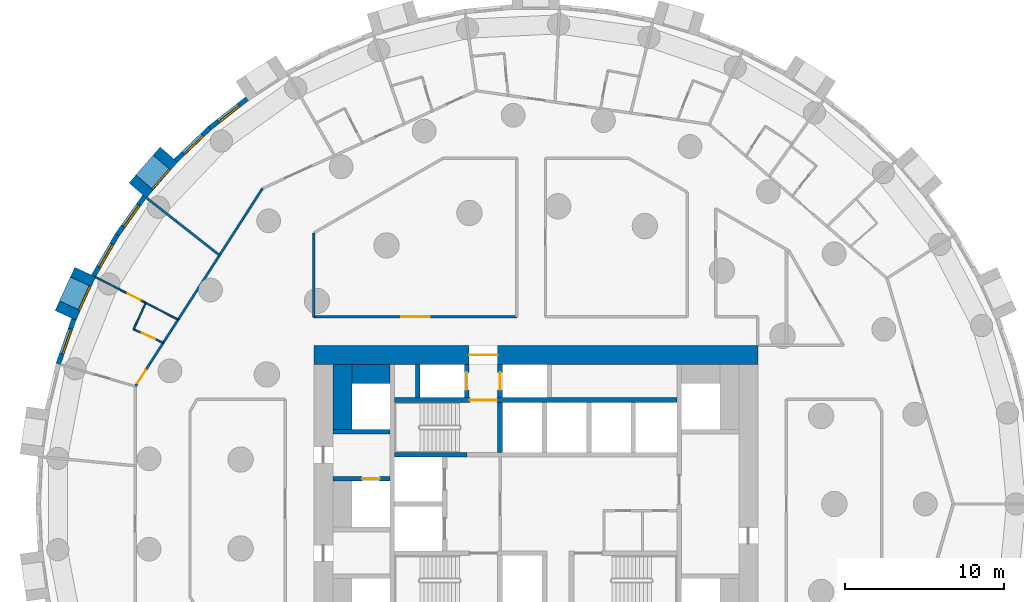
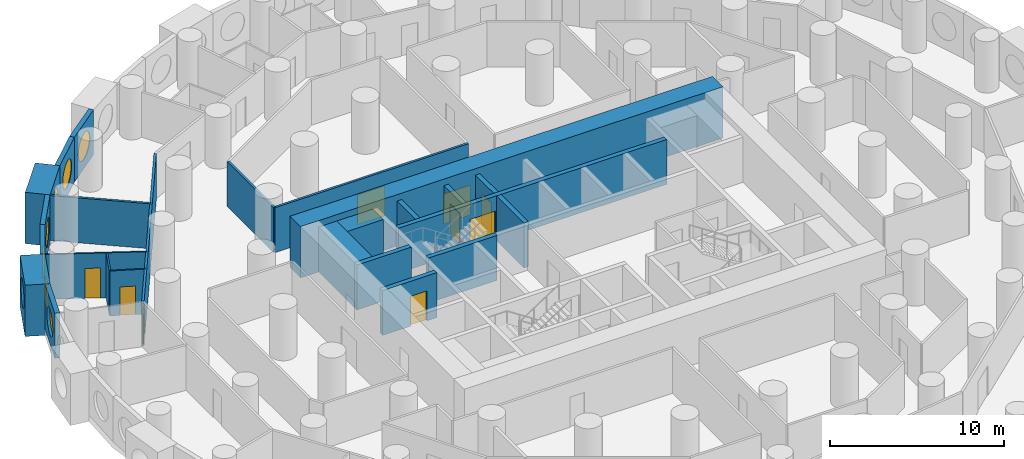
# One storey, part 7 of 12: 26 walls, 9 doors, 7 windows, 16 openings.
"""IFC4 building model written with IfcOpenShell, lengths in metres."""

from ifc_helpers import new_model, si_unit, direction, frame, frame_2d, origin, origin_2d, place, context, subcontext, project, spatial, rectangle, circle, extrude, material, layer, layer_set, type_object, element, fill, save


model = new_model("IFC4")

# Units and contexts
model_context = context("Model", 3, precision=1e-05, world=origin(), true_north=direction((0.0, 1.0)))
body_context = subcontext(model_context, "Body", "Model", "MODEL_VIEW")
ifc_project = project(units=[si_unit("LENGTHUNIT", "METRE"), si_unit("AREAUNIT", "SQUARE_METRE"), si_unit("VOLUMEUNIT", "CUBIC_METRE"), si_unit("PLANEANGLEUNIT", "RADIAN"), si_unit("MASSUNIT", "GRAM", prefix="KILO")], contexts=[model_context])

# Site, building, storey
site_placement = place(None, origin())
site = spatial("IfcSite", under=ifc_project, at=site_placement, CompositionType="ELEMENT")
building_placement = place(site_placement, origin())
building = spatial("IfcBuilding", under=site, at=building_placement, Name="Tracery Tower", CompositionType="ELEMENT")
storey_placement = place(building_placement, frame((0.0, 0.0, 53.39990234375)))
storey = spatial("IfcBuildingStorey", under=building, at=storey_placement, Name="L12", CompositionType="ELEMENT", Elevation=53.39990234375)

# Walls
ifc_material_1 = material(Name="Concrete C60/75", Category="concrete")
ifc_layer_1 = layer(ifc_material_1, 1.199951171875)
ifc_layer_set_1 = layer_set([ifc_layer_1], Name="Core strip wall 1200 C60")
wall_type_1 = type_object("IfcWallType", Name="Core strip wall 1200 C60", PredefinedType="SOLIDWALL", material=ifc_layer_set_1)
wall_1_placement = place(storey_placement, frame((-12.199951171875, 4.699951171875, 0.0), z_axis=(0.0, 0.0, 1.0), x_axis=(0.0, 1.0, 0.0)))
element("IfcWall", 1, at=wall_1_placement, inside=storey, type_object=wall_type_1, Name="L12 wing strip -1 4.55", PredefinedType="SOLIDWALL", context=body_context, shape_type="SweptSolid", body=[
    extrude(rectangle(XDim=4.10009765625, YDim=1.199951171875, at=frame_2d((2.050048828125, 0.0))), origin(), (0.0, 0.0, 1.0), 3.150146484375),
])
wall_2_placement = place(storey_placement, frame((-11.60009765625, 8.199951171875, 0.0), z_axis=(0.0, 0.0, 1.0), x_axis=(1.0, 0.0, 0.0)))
element("IfcWall", 2, at=wall_2_placement, inside=storey, type_object=wall_type_1, Name="L12 wing corner -1 +8.2", PredefinedType="SOLIDWALL", context=body_context, shape_type="SweptSolid", body=[
    extrude(rectangle(XDim=2.400146484375, YDim=1.199951171875, at=frame_2d((1.2001953125, 0.0))), origin(), (0.0, 0.0, 1.0), 3.150146484375),
])

# Wall, opening, door
ifc_material_2 = material(Name="Concrete C60/75", Category="concrete")
ifc_layer_2 = layer(ifc_material_2, 1.199951171875)
ifc_layer_set_2 = layer_set([ifc_layer_2], Name="Core wall 1200 C60")
wall_type_2 = type_object("IfcWallType", Name="Core wall 1200 C60", PredefinedType="SOLIDWALL", material=ifc_layer_set_2)
wall_3_placement = place(storey_placement, frame((-14.0, 9.39990234375, 0.0), z_axis=(0.0, 0.0, 1.0), x_axis=(1.0, 0.0, 0.0)))
wall_3 = element("IfcWall", 3, at=wall_3_placement, inside=storey, type_object=wall_type_2, Name="L12 outer N", PredefinedType="SOLIDWALL", context=body_context, shape_type="SweptSolid", body=[
    extrude(rectangle(XDim=28.0, YDim=1.199951171875, at=frame_2d((14.0, 0.0))), origin(), (0.0, 0.0, 1.0), 3.60009765625),
])
opening_1_placement = place(wall_3_placement, frame((9.800048828125, 0.0, 0.0)))
opening_1 = element("IfcOpeningElement", 4, at=opening_1_placement, cuts=wall_3, Name="Opening KD13", PredefinedType="OPENING", context=body_context, shape_type="SweptSolid", body=[
    extrude(rectangle(XDim=1.800048828125, YDim=2.10009765625, at=frame_2d((0.89990234375, 1.050048828125))), frame((0.0, 0.60009765625, 0.0), z_axis=(0.0, -1.0, 0.0), x_axis=(1.0, 0.0, 0.0)), (0.0, 0.0, 1.0), 1.199951171875),
])
ifc_material_3 = material(Name="Steel fire door", Category="steel")
door_type_1 = type_object("IfcDoorType", Name="Core exit door 1800 double", OperationType="NOTDEFINED", PredefinedType="DOOR", material=ifc_material_3)
door_1_placement = place(opening_1_placement, origin())
door_1 = element("IfcDoor", 5, at=door_1_placement, inside=storey, type_object=door_type_1, Name="Core exit door", OperationType="DOUBLE_DOOR_SINGLE_SWING", OverallHeight=2.10009765625, OverallWidth=1.800048828125, PredefinedType="DOOR", context=body_context, shape_type="SweptSolid", body=[
    extrude(rectangle(XDim=1.800048828125, YDim=2.10009765625, at=frame_2d((0.89990234375, 1.050048828125))), frame((0.0, 0.02490234375, 0.0), z_axis=(0.0, -1.0, 0.0), x_axis=(1.0, 0.0, 0.0)), (0.0, 0.0, 1.0), 0.050048828125),
])
fill(opening_1, door_1)

# Wall, opening, window
ifc_material_4 = material(Name="Precast concrete C50/60", Category="concrete")
ifc_layer_3 = layer(ifc_material_4, 1.449951171875)
ifc_layer_set_3 = layer_set([ifc_layer_3], Name="Deep-set bay unit 3000 x 3600, slab edge 450")
wall_type_3 = type_object("IfcWallType", Name="Deep-set bay unit 3000 x 3600, slab edge 450", PredefinedType="ELEMENTEDWALL", material=ifc_layer_set_3)
wall_4_placement = place(storey_placement, frame((-23.13671875, 22.03271484375, -0.449951171875), z_axis=(0.0, 0.0, 1.0), x_axis=(-0.654890259022, -0.75572398972, 0.0)))
wall_4 = element("IfcWall", 6, at=wall_4_placement, inside=storey, type_object=wall_type_3, Name="Deep-set bay unit 26 at L12", PredefinedType="ELEMENTEDWALL", context=body_context, shape_type="SweptSolid", body=[
    extrude(rectangle(XDim=3.0, YDim=1.449951171875, at=frame_2d((1.5, 0.0))), origin(), (0.0, 0.0, 1.0), 3.60009765625),
])
opening_2_placement = place(wall_4_placement, frame((1.5, 0.0, 2.0)))
opening_2 = element("IfcOpeningElement", 7, at=opening_2_placement, cuts=wall_4, Name="Opening WN1", PredefinedType="OPENING", context=body_context, shape_type="SweptSolid", body=[
    extrude(circle(Radius=0.9000244140625, at=origin_2d()), frame((0.0, 0.73486328125, 0.0), z_axis=(0.0, -1.0, 0.0), x_axis=(1.0, 0.0, 0.0)), (0.0, 0.0, 1.0), 1.469970703125),
])
ifc_material_5 = material(Name="Aluminium frame with tinted double glazing", Category="aluminium")
window_type = type_object("IfcWindowType", Name="Round window 1800", PartitioningType="SINGLE_PANEL", PredefinedType="WINDOW", material=ifc_material_5)
window_1_placement = place(opening_2_placement, origin())
window_1 = element("IfcWindow", 8, at=window_1_placement, inside=storey, type_object=window_type, Name="Round window 26 at L12", OverallHeight=1.800048828125, OverallWidth=1.800048828125, PartitioningType="SINGLE_PANEL", PredefinedType="WINDOW", context=body_context, shape_type="SweptSolid", body=[
    extrude(circle(Radius=0.9000244140625, at=origin_2d()), frame((0.0, 0.69482421875, 0.0), z_axis=(0.0, -1.0, 0.0), x_axis=(1.0, 0.0, 0.0)), (0.0, 0.0, 1.0), 0.10009765625),
])
fill(opening_2, window_1)

wall_5_placement = place(storey_placement, frame((-28.40673828125, 14.6220703125, -0.449951171875), z_axis=(0.0, 0.0, 1.0), x_axis=(-0.415427028395, -0.909626508012, 0.0)))
wall_5 = element("IfcWall", 9, at=wall_5_placement, inside=storey, type_object=wall_type_3, Name="Deep-set bay unit 29 at L12", PredefinedType="ELEMENTEDWALL", context=body_context, shape_type="SweptSolid", body=[
    extrude(rectangle(XDim=3.000244140625, YDim=1.449951171875, at=frame_2d((1.5, 0.0))), origin(), (0.0, 0.0, 1.0), 3.60009765625),
])
opening_3_placement = place(wall_5_placement, frame((1.5, 0.0, 2.0)))
opening_3 = element("IfcOpeningElement", 10, at=opening_3_placement, cuts=wall_5, Name="Opening WN1", PredefinedType="OPENING", context=body_context, shape_type="SweptSolid", body=[
    extrude(circle(Radius=0.9000244140625, at=origin_2d()), frame((0.0, 0.73486328125, 0.0), z_axis=(0.0, -1.0, 0.0), x_axis=(1.0, 0.0, 0.0)), (0.0, 0.0, 1.0), 1.469970703125),
])
window_2_placement = place(opening_3_placement, origin())
window_2 = element("IfcWindow", 11, at=window_2_placement, inside=storey, type_object=window_type, Name="Round window 29 at L12", OverallHeight=1.800048828125, OverallWidth=1.800048828125, PartitioningType="SINGLE_PANEL", PredefinedType="WINDOW", context=body_context, shape_type="SweptSolid", body=[
    extrude(circle(Radius=0.9000244140625, at=origin_2d()), frame((0.0, 0.69482421875, 0.0), z_axis=(0.0, -1.0, 0.0), x_axis=(1.0, 0.0, 0.0)), (0.0, 0.0, 1.0), 0.10009765625),
])
fill(opening_3, window_2)

ifc_material_6 = material(Name="Precast concrete C50/60", Category="concrete")
ifc_layer_4 = layer(ifc_material_6, 0.300048828125)
ifc_layer_set_4 = layer_set([ifc_layer_4], Name="Facade panel 3000 x 3150")
wall_type_4 = type_object("IfcWallType", Name="Facade panel 3000 x 3150", PredefinedType="SOLIDWALL", material=ifc_layer_set_4)
wall_6_placement = place(storey_placement, frame((-18.20361328125, 25.55322265625, 0.0), z_axis=(0.0, 0.0, 1.0), x_axis=(-0.786045331304, -0.618168858108, 0.0)))
wall_6 = element("IfcWall", 12, at=wall_6_placement, inside=storey, type_object=wall_type_4, Name="Facade panel 24 at L12", PredefinedType="SOLIDWALL", context=body_context, shape_type="SweptSolid", body=[
    extrude(rectangle(XDim=2.979736328125, YDim=0.300048828125, at=frame_2d((1.48974609375, 0.0))), origin(), (0.0, 0.0, 1.0), 3.150146484375),
])
opening_4_placement = place(wall_6_placement, frame((1.48974609375, 0.0, 1.5498046875)))
opening_4 = element("IfcOpeningElement", 13, at=opening_4_placement, cuts=wall_6, Name="Opening WN1", PredefinedType="OPENING", context=body_context, shape_type="SweptSolid", body=[
    extrude(circle(Radius=0.9000244140625, at=origin_2d()), frame((0.0, 0.159912109375, 0.0), z_axis=(0.0, -1.0, 0.0), x_axis=(1.0, 0.0, 0.0)), (0.0, 0.0, 1.0), 0.320068359375),
])
window_3_placement = place(opening_4_placement, origin())
window_3 = element("IfcWindow", 14, at=window_3_placement, inside=storey, type_object=window_type, Name="Round window 24 at L12", OverallHeight=1.800048828125, OverallWidth=1.800048828125, PartitioningType="SINGLE_PANEL", PredefinedType="WINDOW", context=body_context, shape_type="SweptSolid", body=[
    extrude(circle(Radius=0.9000244140625, at=origin_2d()), frame((0.0, 0.1201171875, 0.0), z_axis=(0.0, -1.0, 0.0), x_axis=(1.0, 0.0, 0.0)), (0.0, 0.0, 1.0), 0.10009765625),
])
fill(opening_4, window_3)

wall_7_placement = place(storey_placement, frame((-20.5458984375, 23.711181640625, 0.0), z_axis=(0.0, 0.0, 1.0), x_axis=(-0.723744206617, -0.690068346896, 0.0)))
wall_7 = element("IfcWall", 15, at=wall_7_placement, inside=storey, type_object=wall_type_4, Name="Facade panel 25 at L12", PredefinedType="SOLIDWALL", context=body_context, shape_type="SweptSolid", body=[
    extrude(rectangle(XDim=2.979736328125, YDim=0.300048828125, at=frame_2d((1.48974609375, 0.0))), origin(), (0.0, 0.0, 1.0), 3.150146484375),
])
opening_5_placement = place(wall_7_placement, frame((1.48974609375, 0.0, 1.5498046875)))
opening_5 = element("IfcOpeningElement", 16, at=opening_5_placement, cuts=wall_7, Name="Opening WN1", PredefinedType="OPENING", context=body_context, shape_type="SweptSolid", body=[
    extrude(circle(Radius=0.9000244140625, at=origin_2d()), frame((0.0, 0.159912109375, 0.0), z_axis=(0.0, -1.0, 0.0), x_axis=(1.0, 0.0, 0.0)), (0.0, 0.0, 1.0), 0.320068359375),
])
window_4_placement = place(opening_5_placement, origin())
window_4 = element("IfcWindow", 17, at=window_4_placement, inside=storey, type_object=window_type, Name="Round window 25 at L12", OverallHeight=1.800048828125, OverallWidth=1.800048828125, PartitioningType="SINGLE_PANEL", PredefinedType="WINDOW", context=body_context, shape_type="SweptSolid", body=[
    extrude(circle(Radius=0.9000244140625, at=origin_2d()), frame((0.0, 0.1201171875, 0.0), z_axis=(0.0, -1.0, 0.0), x_axis=(1.0, 0.0, 0.0)), (0.0, 0.0, 1.0), 0.10009765625),
])
fill(opening_5, window_4)

wall_8_placement = place(storey_placement, frame((-24.66552734375, 19.389404296875, 0.0), z_axis=(0.0, 0.0, 1.0), x_axis=(-0.580059407678, -0.81457417315, 0.0)))
wall_8 = element("IfcWall", 18, at=wall_8_placement, inside=storey, type_object=wall_type_4, Name="Facade panel 27 at L12", PredefinedType="SOLIDWALL", context=body_context, shape_type="SweptSolid", body=[
    extrude(rectangle(XDim=2.9794921875, YDim=0.300048828125, at=frame_2d((1.48974609375, 0.0))), origin(), (0.0, 0.0, 1.0), 3.150146484375),
])
opening_6_placement = place(wall_8_placement, frame((1.48974609375, 0.0, 1.5498046875)))
opening_6 = element("IfcOpeningElement", 19, at=opening_6_placement, cuts=wall_8, Name="Opening WN1", PredefinedType="OPENING", context=body_context, shape_type="SweptSolid", body=[
    extrude(circle(Radius=0.9000244140625, at=origin_2d()), frame((0.0, 0.159912109375, 0.0), z_axis=(0.0, -1.0, 0.0), x_axis=(1.0, 0.0, 0.0)), (0.0, 0.0, 1.0), 0.320068359375),
])
window_5_placement = place(opening_6_placement, origin())
window_5 = element("IfcWindow", 20, at=window_5_placement, inside=storey, type_object=window_type, Name="Round window 27 at L12", OverallHeight=1.800048828125, OverallWidth=1.800048828125, PartitioningType="SINGLE_PANEL", PredefinedType="WINDOW", context=body_context, shape_type="SweptSolid", body=[
    extrude(circle(Radius=0.9000244140625, at=origin_2d()), frame((0.0, 0.1201171875, 0.0), z_axis=(0.0, -1.0, 0.0), x_axis=(1.0, 0.0, 0.0)), (0.0, 0.0, 1.0), 0.10009765625),
])
fill(opening_6, window_5)

wall_9_placement = place(storey_placement, frame((-26.393798828125, 16.96240234375, 0.0), z_axis=(0.0, 0.0, 1.0), x_axis=(-0.500025049464, -0.866010940986, 0.0)))
wall_9 = element("IfcWall", 21, at=wall_9_placement, inside=storey, type_object=wall_type_4, Name="Facade panel 28 at L12", PredefinedType="SOLIDWALL", context=body_context, shape_type="SweptSolid", body=[
    extrude(rectangle(XDim=2.979736328125, YDim=0.300048828125, at=frame_2d((1.48974609375, 0.0))), origin(), (0.0, 0.0, 1.0), 3.150146484375),
])
opening_7_placement = place(wall_9_placement, frame((1.48974609375, 0.0, 1.5498046875)))
opening_7 = element("IfcOpeningElement", 22, at=opening_7_placement, cuts=wall_9, Name="Opening WN1", PredefinedType="OPENING", context=body_context, shape_type="SweptSolid", body=[
    extrude(circle(Radius=0.9000244140625, at=origin_2d()), frame((0.0, 0.159912109375, 0.0), z_axis=(0.0, -1.0, 0.0), x_axis=(1.0, 0.0, 0.0)), (0.0, 0.0, 1.0), 0.320068359375),
])
window_6_placement = place(opening_7_placement, origin())
window_6 = element("IfcWindow", 23, at=window_6_placement, inside=storey, type_object=window_type, Name="Round window 28 at L12", OverallHeight=1.800048828125, OverallWidth=1.800048828125, PartitioningType="SINGLE_PANEL", PredefinedType="WINDOW", context=body_context, shape_type="SweptSolid", body=[
    extrude(circle(Radius=0.9000244140625, at=origin_2d()), frame((0.0, 0.1201171875, 0.0), z_axis=(0.0, -1.0, 0.0), x_axis=(1.0, 0.0, 0.0)), (0.0, 0.0, 1.0), 0.10009765625),
])
fill(opening_7, window_6)

wall_10_placement = place(storey_placement, frame((-29.12890625, 11.655029296875, 0.0), z_axis=(0.0, 0.0, 1.0), x_axis=(-0.327071167136, -0.944999709856, 0.0)))
wall_10 = element("IfcWall", 24, at=wall_10_placement, inside=storey, type_object=wall_type_4, Name="Facade panel 30 at L12", PredefinedType="SOLIDWALL", context=body_context, shape_type="SweptSolid", body=[
    extrude(rectangle(XDim=2.979736328125, YDim=0.300048828125, at=frame_2d((1.48974609375, 0.0))), origin(), (0.0, 0.0, 1.0), 3.150146484375),
])
opening_8_placement = place(wall_10_placement, frame((1.48974609375, 0.0, 1.5498046875)))
opening_8 = element("IfcOpeningElement", 25, at=opening_8_placement, cuts=wall_10, Name="Opening WN1", PredefinedType="OPENING", context=body_context, shape_type="SweptSolid", body=[
    extrude(circle(Radius=0.9000244140625, at=origin_2d()), frame((0.0, 0.159912109375, 0.0), z_axis=(0.0, -1.0, 0.0), x_axis=(1.0, 0.0, 0.0)), (0.0, 0.0, 1.0), 0.320068359375),
])
window_7_placement = place(opening_8_placement, origin())
window_7 = element("IfcWindow", 26, at=window_7_placement, inside=storey, type_object=window_type, Name="Round window 30 at L12", OverallHeight=1.800048828125, OverallWidth=1.800048828125, PartitioningType="SINGLE_PANEL", PredefinedType="WINDOW", context=body_context, shape_type="SweptSolid", body=[
    extrude(circle(Radius=0.9000244140625, at=origin_2d()), frame((0.0, 0.1201171875, 0.0), z_axis=(0.0, -1.0, 0.0), x_axis=(1.0, 0.0, 0.0)), (0.0, 0.0, 1.0), 0.10009765625),
])
fill(opening_8, window_7)

# Wall, opening, door
ifc_material_7 = material(Name="Plasterboard on steel studs", Category="steel")
ifc_layer_5 = layer(ifc_material_7, 0.10009765625)
ifc_layer_set_5 = layer_set([ifc_layer_5], Name="Partition 100 stud")
wall_type_5 = type_object("IfcWallType", Name="Partition 100 stud", PredefinedType="PARTITIONING", material=ifc_layer_set_5)
wall_11_placement = place(storey_placement, frame((-27.7529296875, 14.30810546875, 0.0), z_axis=(0.0, 0.0, 1.0), x_axis=(0.888816732692, -0.45826282381, 0.0)))
wall_11 = element("IfcWall", 27, at=wall_11_placement, inside=storey, type_object=wall_type_5, Name="Stud partition RA3-087", PredefinedType="PARTITIONING", context=body_context, shape_type="SweptSolid", body=[
    extrude(rectangle(XDim=3.55078125, YDim=0.10009765625, at=frame_2d((1.775390625, 0.0))), origin(), (0.0, 0.0, 1.0), 3.150146484375),
])
opening_9_placement = place(wall_11_placement, frame((2.27490234375, 0.0, 0.0)))
opening_9 = element("IfcOpeningElement", 28, at=opening_9_placement, cuts=wall_11, Name="Opening RA3-29", PredefinedType="OPENING", context=body_context, shape_type="SweptSolid", body=[
    extrude(rectangle(XDim=0.89990234375, YDim=2.10009765625, at=frame_2d((0.449951171875, 1.050048828125))), frame((0.0, 0.050048828125, 0.0), z_axis=(0.0, -1.0, 0.0), x_axis=(1.0, 0.0, 0.0)), (0.0, 0.0, 1.0), 0.10009765625),
])
ifc_material_8 = material(Name="Timber door leaf", Category="wood")
door_type_2 = type_object("IfcDoorType", Name="Door bedroom 900", OperationType="NOTDEFINED", PredefinedType="DOOR", material=ifc_material_8)
door_2_placement = place(opening_9_placement, origin())
door_2 = element("IfcDoor", 29, at=door_2_placement, inside=storey, type_object=door_type_2, Name="Bedroom door RA3-29", OperationType="SINGLE_SWING_RIGHT", OverallHeight=2.10009765625, OverallWidth=0.89990234375, PredefinedType="DOOR", context=body_context, shape_type="SweptSolid", body=[
    extrude(rectangle(XDim=0.89990234375, YDim=2.10009765625, at=frame_2d((0.449951171875, 1.050048828125))), frame((0.0, 0.02490234375, 0.0), z_axis=(0.0, -1.0, 0.0), x_axis=(1.0, 0.0, 0.0)), (0.0, 0.0, 1.0), 0.050048828125),
])
fill(opening_9, door_2)

# Wall
ifc_material_9 = material(Name="Plasterboard on steel studs", Category="steel")
ifc_layer_6 = layer(ifc_material_9, 0.10009765625)
ifc_layer_set_6 = layer_set([ifc_layer_6], Name="Partition 100 wet wall")
wall_type_6 = type_object("IfcWallType", Name="Partition 100 wet wall", PredefinedType="PARTITIONING", material=ifc_layer_set_6)
wall_12_placement = place(storey_placement, frame((-25.35791015625, 11.014892578125, 0.0), z_axis=(0.0, 0.0, 1.0), x_axis=(0.415479380762, 0.909602596831, 0.0)))
element("IfcWall", 30, at=wall_12_placement, inside=storey, type_object=wall_type_6, Name="Wet wall RA3-089", PredefinedType="PARTITIONING", context=body_context, shape_type="SweptSolid", body=[
    extrude(rectangle(XDim=1.83154296875, YDim=0.10009765625, at=frame_2d((0.915771484375, 0.0))), origin(), (0.0, 0.0, 1.0), 3.150146484375),
])

# Wall, opening, door
wall_13_placement = place(storey_placement, frame((-25.35791015625, 11.014892578125, 0.0), z_axis=(0.0, 0.0, 1.0), x_axis=(0.909620690235, -0.415439766868, 0.0)))
wall_13 = element("IfcWall", 31, at=wall_13_placement, inside=storey, type_object=wall_type_6, Name="Wet wall RA3-090", PredefinedType="PARTITIONING", context=body_context, shape_type="SweptSolid", body=[
    extrude(rectangle(XDim=2.0556640625, YDim=0.10009765625, at=frame_2d((1.02783203125, 0.0))), origin(), (0.0, 0.0, 1.0), 3.150146484375),
])
opening_10_placement = place(wall_13_placement, frame((0.577880859375, 0.0, 0.0)))
opening_10 = element("IfcOpeningElement", 32, at=opening_10_placement, cuts=wall_13, Name="Opening RA3-31", PredefinedType="OPENING", context=body_context, shape_type="SweptSolid", body=[
    extrude(rectangle(XDim=0.89990234375, YDim=2.0, at=frame_2d((0.449951171875, 1.0))), frame((0.0, 0.050048828125, 0.0), z_axis=(0.0, -1.0, 0.0), x_axis=(1.0, 0.0, 0.0)), (0.0, 0.0, 1.0), 0.10009765625),
])
ifc_material_10 = material(Name="Timber door leaf", Category="wood")
door_type_3 = type_object("IfcDoorType", Name="Door shower room 900", OperationType="NOTDEFINED", PredefinedType="DOOR", material=ifc_material_10)
door_3_placement = place(opening_10_placement, origin())
door_3 = element("IfcDoor", 33, at=door_3_placement, inside=storey, type_object=door_type_3, Name="Shower room door RA3-31", OperationType="SINGLE_SWING_RIGHT", OverallHeight=2.0, OverallWidth=0.89990234375, PredefinedType="DOOR", context=body_context, shape_type="SweptSolid", body=[
    extrude(rectangle(XDim=0.89990234375, YDim=2.0, at=frame_2d((0.449951171875, 1.0))), frame((0.0, 0.02490234375, 0.0), z_axis=(0.0, -1.0, 0.0), x_axis=(1.0, 0.0, 0.0)), (0.0, 0.0, 1.0), 0.050048828125),
])
fill(opening_10, door_3)

# Walls
wall_14_placement = place(storey_placement, frame((-24.60107421875, 12.68310546875, 0.0), z_axis=(0.0, 0.0, 1.0), x_axis=(0.888712343697, -0.458465233317, 0.0)))
element("IfcWall", 34, at=wall_14_placement, inside=storey, type_object=wall_type_6, Name="Wet wall RA3-091", PredefinedType="PARTITIONING", context=body_context, shape_type="SweptSolid", body=[
    extrude(rectangle(XDim=2.31005859375, YDim=0.10009765625, at=frame_2d((1.155029296875, 0.0))), origin(), (0.0, 0.0, 1.0), 3.150146484375),
])
ifc_material_11 = material(Name="Plasterboard on steel studs", Category="steel")
ifc_layer_7 = layer(ifc_material_11, 0.14990234375)
ifc_layer_set_7 = layer_set([ifc_layer_7], Name="Partition 150 acoustic unit wall")
wall_type_7 = type_object("IfcWallType", Name="Partition 150 acoustic unit wall", PredefinedType="PARTITIONING", material=ifc_layer_set_7)
wall_15_placement = place(storey_placement, frame((-24.5439453125, 19.302001953125, 0.0), z_axis=(0.0, 0.0, 1.0), x_axis=(0.786014513829, -0.618208042693, 0.0)))
element("IfcWall", 35, at=wall_15_placement, inside=storey, type_object=wall_type_7, Name="Unit wall RA3-086", PredefinedType="PARTITIONING", context=body_context, shape_type="SweptSolid", body=[
    extrude(rectangle(XDim=5.857421875, YDim=0.14990234375, at=frame_2d((2.9287109375, 0.0))), origin(), (0.0, 0.0, 1.0), 3.150146484375),
])

# Wall, opening, door
ifc_material_12 = material(Name="Plasterboard on steel studs", Category="steel")
ifc_layer_8 = layer(ifc_material_12, 0.14990234375)
ifc_layer_set_8 = layer_set([ifc_layer_8], Name="Partition 150 corridor wall")
wall_type_8 = type_object("IfcWallType", Name="Partition 150 corridor wall", PredefinedType="PARTITIONING", material=ifc_layer_set_8)
wall_16_placement = place(storey_placement, frame((-14.00390625, 11.800048828125, 0.0), z_axis=(0.0, 0.0, 1.0), x_axis=(1.0, 0.0, 0.0)))
wall_16 = element("IfcWall", 36, at=wall_16_placement, inside=storey, type_object=wall_type_8, Name="Corridor wall RA3-001", PredefinedType="PARTITIONING", context=body_context, shape_type="SweptSolid", body=[
    extrude(rectangle(XDim=12.81591796875, YDim=0.14990234375, at=frame_2d((6.407958984375, 0.0))), origin(), (0.0, 0.0, 1.0), 3.150146484375),
])
opening_11_placement = place(wall_16_placement, frame((5.508056640625, 0.0, 0.0)))
opening_11 = element("IfcOpeningElement", 37, at=opening_11_placement, cuts=wall_16, Name="Opening RA3-01", PredefinedType="OPENING", context=body_context, shape_type="SweptSolid", body=[
    extrude(rectangle(XDim=1.800048828125, YDim=2.10009765625, at=frame_2d((0.89990234375, 1.050048828125))), frame((0.0, 0.074951171875, 0.0), z_axis=(0.0, -1.0, 0.0), x_axis=(1.0, 0.0, 0.0)), (0.0, 0.0, 1.0), 0.14990234375),
])
ifc_material_13 = material(Name="Timber door leaf", Category="wood")
door_type_4 = type_object("IfcDoorType", Name="Door double lounge 1800", OperationType="NOTDEFINED", PredefinedType="DOOR", material=ifc_material_13)
door_4_placement = place(opening_11_placement, origin())
door_4 = element("IfcDoor", 38, at=door_4_placement, inside=storey, type_object=door_type_4, Name="Double lounge door RA3-01", OperationType="DOUBLE_DOOR_SINGLE_SWING", OverallHeight=2.10009765625, OverallWidth=1.800048828125, PredefinedType="DOOR", context=body_context, shape_type="SweptSolid", body=[
    extrude(rectangle(XDim=1.800048828125, YDim=2.10009765625, at=frame_2d((0.89990234375, 1.050048828125))), frame((0.0, 0.02490234375, 0.0), z_axis=(0.0, -1.0, 0.0), x_axis=(1.0, 0.0, 0.0)), (0.0, 0.0, 1.0), 0.050048828125),
])
fill(opening_11, door_4)

# Wall
wall_17_placement = place(storey_placement, frame((-14.0, 11.800048828125, 0.0), z_axis=(0.0, 0.0, 1.0), x_axis=(0.0, 1.0, 0.0)))
element("IfcWall", 39, at=wall_17_placement, inside=storey, type_object=wall_type_8, Name="Corridor wall RA3-028", PredefinedType="PARTITIONING", context=body_context, shape_type="SweptSolid", body=[
    extrude(rectangle(XDim=5.2919921875, YDim=0.14990234375, at=frame_2d((2.64599609375, 0.0))), origin(), (0.0, 0.0, 1.0), 3.150146484375),
])

# Wall, opening, door
wall_18_placement = place(storey_placement, frame((-25.2548828125, 7.416259765625, 0.0), z_axis=(0.0, 0.0, 1.0), x_axis=(0.540805851332, 0.841147449123, 0.0)))
wall_18 = element("IfcWall", 40, at=wall_18_placement, inside=storey, type_object=wall_type_8, Name="Corridor wall RA3-037", PredefinedType="PARTITIONING", context=body_context, shape_type="SweptSolid", body=[
    extrude(rectangle(XDim=14.829345703125, YDim=0.14990234375, at=frame_2d((7.41455078125, 0.0))), origin(), (0.0, 0.0, 1.0), 3.150146484375),
])
opening_12_placement = place(wall_18_placement, frame((0.23388671875, 0.0, 0.0)))
opening_12 = element("IfcOpeningElement", 41, at=opening_12_placement, cuts=wall_18, Name="Opening RA3-32", PredefinedType="OPENING", context=body_context, shape_type="SweptSolid", body=[
    extrude(rectangle(XDim=1.0, YDim=2.10009765625, at=frame_2d((0.5, 1.050048828125))), frame((0.0, 0.074951171875, 0.0), z_axis=(0.0, -1.0, 0.0), x_axis=(1.0, 0.0, 0.0)), (0.0, 0.0, 1.0), 0.14990234375),
])
ifc_material_14 = material(Name="Timber door leaf", Category="wood")
door_type_5 = type_object("IfcDoorType", Name="Door unit entrance 1000", OperationType="NOTDEFINED", PredefinedType="DOOR", material=ifc_material_14)
door_5_placement = place(opening_12_placement, origin())
door_5 = element("IfcDoor", 42, at=door_5_placement, inside=storey, type_object=door_type_5, Name="Unit entrance door RA3-32", OperationType="SINGLE_SWING_LEFT", OverallHeight=2.10009765625, OverallWidth=1.0, PredefinedType="DOOR", context=body_context, shape_type="SweptSolid", body=[
    extrude(rectangle(XDim=1.0, YDim=2.10009765625, at=frame_2d((0.5, 1.050048828125))), frame((0.0, 0.02490234375, 0.0), z_axis=(0.0, -1.0, 0.0), x_axis=(1.0, 0.0, 0.0)), (0.0, 0.0, 1.0), 0.050048828125),
])
fill(opening_12, door_5)

# Wall
ifc_material_15 = material(Name="Concrete C60/75", Category="concrete")
ifc_layer_9 = layer(ifc_material_15, 0.300048828125)
ifc_layer_set_9 = layer_set([ifc_layer_9], Name="Shaft wall 300 C60")
wall_type_9 = type_object("IfcWallType", Name="Shaft wall 300 C60", PredefinedType="SOLIDWALL", material=ifc_layer_set_9)
wall_19_placement = place(storey_placement, frame((-7.449951171875, 6.699951171875, 0.0), z_axis=(0.0, 0.0, 1.0), x_axis=(0.0, 1.0, 0.0)))
element("IfcWall", 43, at=wall_19_placement, inside=storey, type_object=wall_type_9, Name="L12 LR sep -7.45", PredefinedType="SOLIDWALL", context=body_context, shape_type="SweptSolid", body=[
    extrude(rectangle(XDim=2.10009765625, YDim=0.300048828125, at=frame_2d((1.050048828125, 0.0))), origin(), (0.0, 0.0, 1.0), 3.150146484375),
])

# Wall, opening, door
wall_20_placement = place(storey_placement, frame((-4.35009765625, 6.699951171875, 0.0), z_axis=(0.0, 0.0, 1.0), x_axis=(0.0, 1.0, 0.0)))
wall_20 = element("IfcWall", 44, at=wall_20_placement, inside=storey, type_object=wall_type_9, Name="L12 LR sep -4.35", PredefinedType="SOLIDWALL", context=body_context, shape_type="SweptSolid", body=[
    extrude(rectangle(XDim=2.10009765625, YDim=0.300048828125, at=frame_2d((1.050048828125, 0.0))), origin(), (0.0, 0.0, 1.0), 3.150146484375),
])
opening_13_placement = place(wall_20_placement, frame((0.5, 0.0, 0.0)))
opening_13 = element("IfcOpeningElement", 45, at=opening_13_placement, cuts=wall_20, Name="Opening KD50", PredefinedType="OPENING", context=body_context, shape_type="SweptSolid", body=[
    extrude(rectangle(XDim=1.10009765625, YDim=2.10009765625, at=frame_2d((0.550048828125, 1.050048828125))), frame((0.0, 0.14990234375, 0.0), z_axis=(0.0, -1.0, 0.0), x_axis=(1.0, 0.0, 0.0)), (0.0, 0.0, 1.0), 0.300048828125),
])
ifc_material_16 = material(Name="Steel fire door", Category="steel")
door_type_6 = type_object("IfcDoorType", Name="Landing door 1100", OperationType="NOTDEFINED", PredefinedType="DOOR", material=ifc_material_16)
door_6_placement = place(opening_13_placement, origin())
door_6 = element("IfcDoor", 46, at=door_6_placement, inside=storey, type_object=door_type_6, Name="Landing door LR3", OperationType="SLIDING_TO_RIGHT", OverallHeight=2.10009765625, OverallWidth=1.10009765625, PredefinedType="DOOR", context=body_context, shape_type="SweptSolid", body=[
    extrude(rectangle(XDim=1.10009765625, YDim=2.10009765625, at=frame_2d((0.550048828125, 1.050048828125))), frame((0.0, 0.02490234375, 0.0), z_axis=(0.0, -1.0, 0.0), x_axis=(1.0, 0.0, 0.0)), (0.0, 0.0, 1.0), 0.050048828125),
])
fill(opening_13, door_6)

# Wall
wall_21_placement = place(storey_placement, frame((-12.800048828125, 4.550048828125, 0.0), z_axis=(0.0, 0.0, 1.0), x_axis=(1.0, 0.0, 0.0)))
element("IfcWall", 47, at=wall_21_placement, inside=storey, type_object=wall_type_9, Name="L12 wing shaft wall -1 +4.55", PredefinedType="SOLIDWALL", context=body_context, shape_type="SweptSolid", body=[
    extrude(rectangle(XDim=3.60009765625, YDim=0.300048828125, at=frame_2d((1.800048828125, 0.0))), origin(), (0.0, 0.0, 1.0), 3.150146484375),
])

# Wall, opening, door
wall_22_placement = place(storey_placement, frame((-12.800048828125, 1.60009765625, 0.0), z_axis=(0.0, 0.0, 1.0), x_axis=(1.0, 0.0, 0.0)))
wall_22 = element("IfcWall", 48, at=wall_22_placement, inside=storey, type_object=wall_type_9, Name="L12 wing shaft wall -1 +1.60", PredefinedType="SOLIDWALL", context=body_context, shape_type="SweptSolid", body=[
    extrude(rectangle(XDim=3.60009765625, YDim=0.300048828125, at=frame_2d((1.800048828125, 0.0))), origin(), (0.0, 0.0, 1.0), 3.150146484375),
])
opening_14_placement = place(wall_22_placement, frame((1.85009765625, 0.0, 0.0)))
opening_14 = element("IfcOpeningElement", 49, at=opening_14_placement, cuts=wall_22, Name="Opening KD50", PredefinedType="OPENING", context=body_context, shape_type="SweptSolid", body=[
    extrude(rectangle(XDim=1.10009765625, YDim=2.10009765625, at=frame_2d((0.550048828125, 1.050048828125))), frame((0.0, 0.14990234375, 0.0), z_axis=(0.0, -1.0, 0.0), x_axis=(1.0, 0.0, 0.0)), (0.0, 0.0, 1.0), 0.300048828125),
])
door_7_placement = place(opening_14_placement, origin())
door_7 = element("IfcDoor", 50, at=door_7_placement, inside=storey, type_object=door_type_6, Name="Landing door LR1", OperationType="SLIDING_TO_RIGHT", OverallHeight=2.10009765625, OverallWidth=1.10009765625, PredefinedType="DOOR", context=body_context, shape_type="SweptSolid", body=[
    extrude(rectangle(XDim=1.10009765625, YDim=2.10009765625, at=frame_2d((0.550048828125, 1.050048828125))), frame((0.0, 0.02490234375, 0.0), z_axis=(0.0, -1.0, 0.0), x_axis=(1.0, 0.0, 0.0)), (0.0, 0.0, 1.0), 0.050048828125),
])
fill(opening_14, door_7)

# Walls
ifc_material_17 = material(Name="Concrete C60/75", Category="concrete")
ifc_layer_10 = layer(ifc_material_17, 0.300048828125)
ifc_layer_set_10 = layer_set([ifc_layer_10], Name="Stair wall 300 C60")
wall_type_10 = type_object("IfcWallType", Name="Stair wall 300 C60", PredefinedType="SOLIDWALL", material=ifc_layer_set_10)
wall_23_placement = place(storey_placement, frame((-8.89990234375, 3.10009765625, 0.0), z_axis=(0.0, 0.0, 1.0), x_axis=(1.0, 0.0, 0.0)))
element("IfcWall", 51, at=wall_23_placement, inside=storey, type_object=wall_type_10, Name="L12 row N W", PredefinedType="SOLIDWALL", context=body_context, shape_type="SweptSolid", body=[
    extrude(rectangle(XDim=4.5498046875, YDim=0.300048828125, at=frame_2d((2.27490234375, 0.0))), origin(), (0.0, 0.0, 1.0), 3.150146484375),
])
wall_24_placement = place(storey_placement, frame((-2.25, 3.25, 0.0), z_axis=(0.0, 0.0, 1.0), x_axis=(0.0, 1.0, 0.0)))
element("IfcWall", 52, at=wall_24_placement, inside=storey, type_object=wall_type_10, Name="L12 ST3 E", PredefinedType="SOLIDWALL", context=body_context, shape_type="SweptSolid", body=[
    extrude(rectangle(XDim=3.14990234375, YDim=0.300048828125, at=frame_2d((1.574951171875, 0.0))), origin(), (0.0, 0.0, 1.0), 3.150146484375),
])

# Wall, opening, door
wall_25_placement = place(storey_placement, frame((-8.89990234375, 6.550048828125, 0.0), z_axis=(0.0, 0.0, 1.0), x_axis=(1.0, 0.0, 0.0)))
wall_25 = element("IfcWall", 53, at=wall_25_placement, inside=storey, type_object=wall_type_10, Name="L12 F N", PredefinedType="SOLIDWALL", context=body_context, shape_type="SweptSolid", body=[
    extrude(rectangle(XDim=17.7998046875, YDim=0.300048828125, at=frame_2d((8.89990234375, 0.0))), origin(), (0.0, 0.0, 1.0), 3.150146484375),
])
opening_15_placement = place(wall_25_placement, frame((4.75, 0.0, 0.0)))
opening_15 = element("IfcOpeningElement", 54, at=opening_15_placement, cuts=wall_25, Name="Opening KD3", PredefinedType="OPENING", context=body_context, shape_type="SweptSolid", body=[
    extrude(rectangle(XDim=1.699951171875, YDim=2.10009765625, at=frame_2d((0.85009765625, 1.050048828125))), frame((0.0, 0.14990234375, 0.0), z_axis=(0.0, -1.0, 0.0), x_axis=(1.0, 0.0, 0.0)), (0.0, 0.0, 1.0), 0.300048828125),
])
ifc_material_18 = material(Name="Steel fire door", Category="steel")
door_type_7 = type_object("IfcDoorType", Name="Core stair door 1700 double", OperationType="NOTDEFINED", PredefinedType="DOOR", material=ifc_material_18)
door_8_placement = place(opening_15_placement, origin())
door_8 = element("IfcDoor", 55, at=door_8_placement, inside=storey, type_object=door_type_7, Name="Stair door ST3 N", OperationType="DOUBLE_DOOR_SINGLE_SWING", OverallHeight=2.10009765625, OverallWidth=1.699951171875, PredefinedType="DOOR", context=body_context, shape_type="SweptSolid", body=[
    extrude(rectangle(XDim=1.699951171875, YDim=2.10009765625, at=frame_2d((0.85009765625, 1.050048828125))), frame((0.0, 0.02490234375, 0.0), z_axis=(0.0, -1.0, 0.0), x_axis=(1.0, 0.0, 0.0)), (0.0, 0.0, 1.0), 0.050048828125),
])
fill(opening_15, door_8)

wall_26_placement = place(storey_placement, frame((-2.25, 6.699951171875, 0.0), z_axis=(0.0, 0.0, 1.0), x_axis=(0.0, 1.0, 0.0)))
wall_26 = element("IfcWall", 56, at=wall_26_placement, inside=storey, type_object=wall_type_10, Name="L12 ST3 E out", PredefinedType="SOLIDWALL", context=body_context, shape_type="SweptSolid", body=[
    extrude(rectangle(XDim=2.10009765625, YDim=0.300048828125, at=frame_2d((1.050048828125, 0.0))), origin(), (0.0, 0.0, 1.0), 3.150146484375),
])
opening_16_placement = place(wall_26_placement, frame((0.5, 0.0, 0.0)))
opening_16 = element("IfcOpeningElement", 57, at=opening_16_placement, cuts=wall_26, Name="Opening KD49", PredefinedType="OPENING", context=body_context, shape_type="SweptSolid", body=[
    extrude(rectangle(XDim=1.10009765625, YDim=2.10009765625, at=frame_2d((0.550048828125, 1.050048828125))), frame((0.0, 0.14990234375, 0.0), z_axis=(0.0, -1.0, 0.0), x_axis=(1.0, 0.0, 0.0)), (0.0, 0.0, 1.0), 0.300048828125),
])
door_9_placement = place(opening_16_placement, origin())
door_9 = element("IfcDoor", 58, at=door_9_placement, inside=storey, type_object=door_type_6, Name="Landing door LR2", OperationType="SLIDING_TO_LEFT", OverallHeight=2.10009765625, OverallWidth=1.10009765625, PredefinedType="DOOR", context=body_context, shape_type="SweptSolid", body=[
    extrude(rectangle(XDim=1.10009765625, YDim=2.10009765625, at=frame_2d((0.550048828125, 1.050048828125))), frame((0.0, 0.02490234375, 0.0), z_axis=(0.0, -1.0, 0.0), x_axis=(1.0, 0.0, 0.0)), (0.0, 0.0, 1.0), 0.050048828125),
])
fill(opening_16, door_9)

save(model, "model.ifc")
